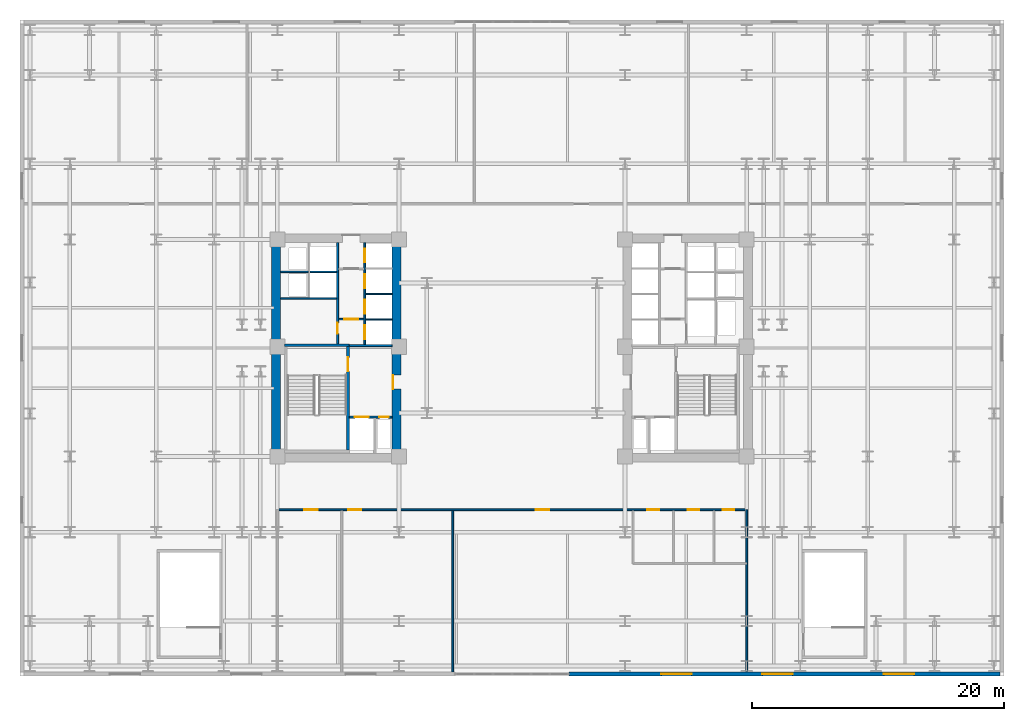
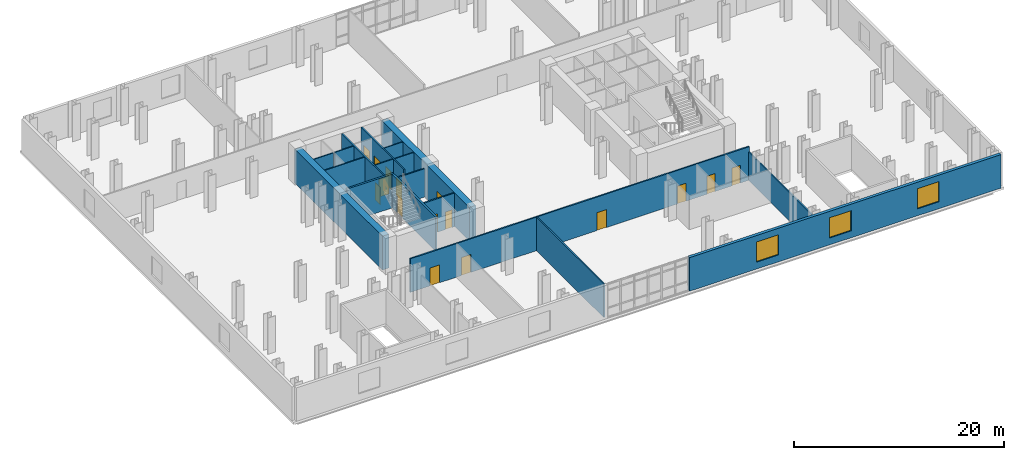
# One storey, part 8 of 13: 18 walls, 16 doors, 3 windows, 19 openings.
"""IFC4 building model written with IfcOpenShell, lengths in metres."""

from ifc_helpers import new_model, si_unit, direction, frame, frame_2d, origin, place, context, subcontext, project, spatial, rectangle, extrude, material, layer, layer_set, type_object, element, fill, save


model = new_model("IFC4")

# Units and contexts
model_context = context("Model", 3, precision=1e-05, world=origin(), true_north=direction((0.0, 1.0)))
body_context = subcontext(model_context, "Body", "Model", "MODEL_VIEW")
ifc_project = project(units=[si_unit("LENGTHUNIT", "METRE"), si_unit("AREAUNIT", "SQUARE_METRE"), si_unit("VOLUMEUNIT", "CUBIC_METRE"), si_unit("PLANEANGLEUNIT", "RADIAN"), si_unit("MASSUNIT", "GRAM", prefix="KILO")], contexts=[model_context])

# Site, building, storey
site_placement = place(None, origin())
site = spatial("IfcSite", under=ifc_project, at=site_placement, CompositionType="ELEMENT")
building_placement = place(site_placement, origin())
building = spatial("IfcBuilding", under=site, at=building_placement, Name="Velakula Bourse", CompositionType="ELEMENT")
storey_placement = place(building_placement, frame((0.0, 0.0, 22.800048828125)))
storey = spatial("IfcBuildingStorey", under=building, at=storey_placement, Name="L05", CompositionType="ELEMENT", Elevation=22.800048828125)

# Wall, opening, door
ifc_material_1 = material(Name="Concrete M50 (fck 50 MPa)", Category="concrete")
ifc_layer_1 = layer(ifc_material_1, 0.2099609375, Name="Concrete M50 (fck 50 MPa)", Category="concrete")
ifc_layer_set_1 = layer_set([ifc_layer_1], Name="Concrete M50 (fck 50 MPa)")
wall_type_1 = type_object("IfcWallType", Name="WL-CORE-210", PredefinedType="SHEAR", material=ifc_layer_set_1)
wall_1_placement = place(storey_placement, frame((-12.9951171875, -8.10009765625, 0.0), z_axis=(0.0, 0.0, 1.0), x_axis=(0.0, 1.0, 0.0)))
wall_1 = element("IfcWall", 1, at=wall_1_placement, inside=storey, type_object=wall_type_1, Name="L05 Core W Stairwell Shear Wall IN", PredefinedType="SHEAR", context=body_context, shape_type="SweptSolid", body=[
    extrude(rectangle(XDim=8.2001953125, YDim=0.2099609375, at=frame_2d((4.10009765625, 0.0))), origin(), (0.0, 0.0, 1.0), 3.919921875),
])
opening_1_placement = place(wall_1_placement, frame((6.25, 0.0, 0.0)))
opening_1 = element("IfcOpeningElement", 2, at=opening_1_placement, cuts=wall_1, Name="Opening D-STW1", PredefinedType="OPENING", context=body_context, shape_type="SweptSolid", body=[
    extrude(rectangle(XDim=1.10009765625, YDim=2.14990234375, at=frame_2d((0.550048828125, 1.074951171875))), frame((0.0, 0.114990234375, 0.0), z_axis=(0.0, -1.0, 0.0), x_axis=(1.0, 0.0, 0.0)), (0.0, 0.0, 1.0), 0.22998046875),
])
ifc_material_2 = material(Name="Galvanised painted hollow steel fire door", Category="steel")
door_type_1 = type_object("IfcDoorType", Name="DR-FD120-1100x2150", OperationType="NOTDEFINED", PredefinedType="DOOR", material=ifc_material_2)
door_1_placement = place(opening_1_placement, origin())
door_1 = element("IfcDoor", 3, at=door_1_placement, inside=storey, type_object=door_type_1, Name="L05 Stair ST-W1 Fire Door", OperationType="SINGLE_SWING_LEFT", OverallHeight=2.14990234375, OverallWidth=1.10009765625, PredefinedType="DOOR", context=body_context, shape_type="SweptSolid", body=[
    extrude(rectangle(XDim=1.10009765625, YDim=2.14990234375, at=frame_2d((0.550048828125, 1.074951171875))), frame((0.0, 0.02490234375, 0.0), z_axis=(0.0, -1.0, 0.0), x_axis=(1.0, 0.0, 0.0)), (0.0, 0.0, 1.0), 0.050048828125),
])
fill(opening_1, door_1)

# Walls
wall_2_placement = place(storey_placement, frame((-12.889892578125, 0.205078125, 0.0), z_axis=(0.0, 0.0, 1.0), x_axis=(-1.0, 0.0, 0.0)))
element("IfcWall", 4, at=wall_2_placement, inside=storey, type_object=wall_type_1, Name="L05 Core W Stairwell Shear Wall N", PredefinedType="SHEAR", context=body_context, shape_type="SweptSolid", body=[
    extrude(rectangle(XDim=5.14013671875, YDim=0.2099609375, at=frame_2d((2.570068359375, 0.0))), origin(), (0.0, 0.0, 1.0), 3.919921875),
])
ifc_material_3 = material(Name="Concrete M70 (fck 70 MPa)", Category="concrete")
ifc_layer_2 = layer(ifc_material_3, 0.699951171875, Name="Concrete M70 (fck 70 MPa)", Category="concrete")
ifc_layer_set_2 = layer_set([ifc_layer_2], Name="Concrete M70 (fck 70 MPa)")
wall_type_2 = type_object("IfcWallType", Name="WL-CORE-700", PredefinedType="SHEAR", material=ifc_layer_set_2)
wall_3_placement = place(storey_placement, frame((-18.699951171875, -8.35009765625, 0.0), z_axis=(0.0, 0.0, 1.0), x_axis=(0.0, 1.0, 0.0)))
element("IfcWall", 5, at=wall_3_placement, inside=storey, type_object=wall_type_2, Name="L05 Core W Shear Wall W", PredefinedType="SHEAR", context=body_context, shape_type="SweptSolid", body=[
    extrude(rectangle(XDim=16.7001953125, YDim=0.699951171875, at=frame_2d((8.35009765625, 0.0))), origin(), (0.0, 0.0, 1.0), 3.919921875),
])

# Wall, opening, door
wall_4_placement = place(storey_placement, frame((-9.14990234375, -8.35009765625, 0.0), z_axis=(0.0, 0.0, 1.0), x_axis=(0.0, 1.0, 0.0)))
wall_4 = element("IfcWall", 6, at=wall_4_placement, inside=storey, type_object=wall_type_2, Name="L05 Core W Shear Wall E", PredefinedType="SHEAR", context=body_context, shape_type="SweptSolid", body=[
    extrude(rectangle(XDim=16.7001953125, YDim=0.699951171875, at=frame_2d((8.35009765625, 0.0))), origin(), (0.0, 0.0, 1.0), 3.919921875),
])
opening_2_placement = place(wall_4_placement, frame((5.10009765625, 0.0, 0.0)))
opening_2 = element("IfcOpeningElement", 7, at=opening_2_placement, cuts=wall_4, Name="Opening D-FLW", PredefinedType="OPENING", context=body_context, shape_type="SweptSolid", body=[
    extrude(rectangle(XDim=1.10009765625, YDim=2.080078125, at=frame_2d((0.550048828125, 1.0400390625))), frame((0.0, 0.35986328125, 0.0), z_axis=(0.0, -1.0, 0.0), x_axis=(1.0, 0.0, 0.0)), (0.0, 0.0, 1.0), 0.719970703125),
])
door_type_2 = type_object("IfcDoorType", Name="DR-FD120-1100", OperationType="NOTDEFINED", PredefinedType="DOOR", material=ifc_material_2)
door_2_placement = place(opening_2_placement, origin())
door_2 = element("IfcDoor", 8, at=door_2_placement, inside=storey, type_object=door_type_2, Name="L05 Firefighting Lobby W Corridor Fire Door", OperationType="SINGLE_SWING_LEFT", OverallHeight=2.080078125, OverallWidth=1.10009765625, PredefinedType="DOOR", context=body_context, shape_type="SweptSolid", body=[
    extrude(rectangle(XDim=1.10009765625, YDim=2.080078125, at=frame_2d((0.550048828125, 1.0400390625))), frame((0.0, 0.30517578125, 0.0), z_axis=(0.0, -1.0, 0.0), x_axis=(1.0, 0.0, 0.0)), (0.0, 0.0, 1.0), 0.050048828125),
])
fill(opening_2, door_2)

# Wall, openings, windows
ifc_material_4 = material(Name="Red kilned clay facing brick masonry", Category="masonry")
ifc_layer_3 = layer(ifc_material_4, 0.320068359375, Name="Red kilned clay facing brick masonry", Category="masonry")
ifc_layer_set_3 = layer_set([ifc_layer_3], Name="Red kilned clay facing brick masonry")
wall_type_3 = type_object("IfcWallType", Name="WL-EXT-BRK-320", PredefinedType="STANDARD", material=ifc_layer_set_3)
wall_5_placement = place(storey_placement, frame((38.679931640625, -25.840087890625, 0.0), z_axis=(0.0, 0.0, 1.0), x_axis=(-1.0, 0.0, 0.0)))
wall_5 = element("IfcWall", 9, at=wall_5_placement, inside=storey, type_object=wall_type_3, Name="L05 South Brick Facade Wall 1", PredefinedType="STANDARD", context=body_context, shape_type="SweptSolid", body=[
    extrude(rectangle(XDim=34.179931640625, YDim=0.320068359375, at=frame_2d((17.08984375, 0.0))), origin(), (0.0, 0.0, 1.0), 3.89990234375),
])
opening_3_placement = place(wall_5_placement, frame((6.794921875, 0.0, 0.800048828125)))
opening_3 = element("IfcOpeningElement", 10, at=opening_3_placement, cuts=wall_5, Name="Opening W-06", PredefinedType="OPENING", context=body_context, shape_type="SweptSolid", body=[
    extrude(rectangle(XDim=2.39990234375, YDim=2.35009765625, at=frame_2d((1.199951171875, 1.175048828125))), frame((0.0, 0.169921875, 0.0), z_axis=(0.0, -1.0, 0.0), x_axis=(1.0, 0.0, 0.0)), (0.0, 0.0, 1.0), 0.340087890625),
])
opening_4_placement = place(wall_5_placement, frame((16.43994140625, 0.0, 0.800048828125)))
opening_4 = element("IfcOpeningElement", 11, at=opening_4_placement, cuts=wall_5, Name="Opening W-06", PredefinedType="OPENING", context=body_context, shape_type="SweptSolid", body=[
    extrude(rectangle(XDim=2.39990234375, YDim=2.35009765625, at=frame_2d((1.199951171875, 1.175048828125))), frame((0.0, 0.169921875, 0.0), z_axis=(0.0, -1.0, 0.0), x_axis=(1.0, 0.0, 0.0)), (0.0, 0.0, 1.0), 0.340087890625),
])
opening_5_placement = place(wall_5_placement, frame((24.43505859375, 0.0, 0.800048828125)))
opening_5 = element("IfcOpeningElement", 12, at=opening_5_placement, cuts=wall_5, Name="Opening W-06", PredefinedType="OPENING", context=body_context, shape_type="SweptSolid", body=[
    extrude(rectangle(XDim=2.39990234375, YDim=2.35009765625, at=frame_2d((1.199951171875, 1.175048828125))), frame((0.0, 0.169921875, 0.0), z_axis=(0.0, -1.0, 0.0), x_axis=(1.0, 0.0, 0.0)), (0.0, 0.0, 1.0), 0.340087890625),
])
ifc_material_5 = material(Name="Double-glazed solar-control Low-E glass", Category="glass")
window_type = type_object("IfcWindowType", Name="WIN-POD-2400x2600", PartitioningType="DOUBLE_PANEL_VERTICAL", PredefinedType="WINDOW", material=ifc_material_5)
window_1_placement = place(opening_3_placement, origin())
window_1 = element("IfcWindow", 13, at=window_1_placement, inside=storey, type_object=window_type, Name="L05 Deep-Set Recessed Window 1", OverallHeight=2.35009765625, OverallWidth=2.39990234375, PartitioningType="DOUBLE_PANEL_VERTICAL", PredefinedType="WINDOW", context=body_context, shape_type="SweptSolid", body=[
    extrude(rectangle(XDim=2.39990234375, YDim=2.35009765625, at=frame_2d((1.199951171875, 1.175048828125))), frame((0.0, 0.030029296875, 0.0), z_axis=(0.0, -1.0, 0.0), x_axis=(1.0, 0.0, 0.0)), (0.0, 0.0, 1.0), 0.06005859375),
])
fill(opening_3, window_1)
window_2_placement = place(opening_4_placement, origin())
window_2 = element("IfcWindow", 14, at=window_2_placement, inside=storey, type_object=window_type, Name="L05 Deep-Set Recessed Window 2", OverallHeight=2.35009765625, OverallWidth=2.39990234375, PartitioningType="DOUBLE_PANEL_VERTICAL", PredefinedType="WINDOW", context=body_context, shape_type="SweptSolid", body=[
    extrude(rectangle(XDim=2.39990234375, YDim=2.35009765625, at=frame_2d((1.199951171875, 1.175048828125))), frame((0.0, 0.030029296875, 0.0), z_axis=(0.0, -1.0, 0.0), x_axis=(1.0, 0.0, 0.0)), (0.0, 0.0, 1.0), 0.06005859375),
])
fill(opening_4, window_2)
window_3_placement = place(opening_5_placement, origin())
window_3 = element("IfcWindow", 15, at=window_3_placement, inside=storey, type_object=window_type, Name="L05 Deep-Set Recessed Window 3", OverallHeight=2.35009765625, OverallWidth=2.39990234375, PartitioningType="DOUBLE_PANEL_VERTICAL", PredefinedType="WINDOW", context=body_context, shape_type="SweptSolid", body=[
    extrude(rectangle(XDim=2.39990234375, YDim=2.35009765625, at=frame_2d((1.199951171875, 1.175048828125))), frame((0.0, 0.030029296875, 0.0), z_axis=(0.0, -1.0, 0.0), x_axis=(1.0, 0.0, 0.0)), (0.0, 0.0, 1.0), 0.06005859375),
])
fill(opening_5, window_3)

# Wall, opening, door
ifc_material_6 = material(Name="Fire-rated double-layer gypsum drywall partition", Category="gypsum")
ifc_layer_4 = layer(ifc_material_6, 0.1201171875, Name="Fire-rated double-layer gypsum drywall partition", Category="gypsum")
ifc_layer_set_4 = layer_set([ifc_layer_4], Name="Fire-rated double-layer gypsum drywall partition")
wall_type_4 = type_object("IfcWallType", Name="WL-PART-120", PredefinedType="STANDARD", material=ifc_layer_set_4)
wall_6_placement = place(storey_placement, frame((-13.75, 2.280029296875, 0.0), z_axis=(0.0, 0.0, 1.0), x_axis=(1.0, 0.0, 0.0)))
wall_6 = element("IfcWall", 16, at=wall_6_placement, inside=storey, type_object=wall_type_4, Name="L05 Interior Partition WL-CRW-L05-LL-K3A", PredefinedType="STANDARD", context=body_context, shape_type="SweptSolid", body=[
    extrude(rectangle(XDim=2.0, YDim=0.1201171875, at=frame_2d((1.0, 0.0))), origin(), (0.0, 0.0, 1.0), 3.89990234375),
])
opening_6_placement = place(wall_6_placement, frame((0.449951171875, 0.0, 0.0)))
opening_6 = element("IfcOpeningElement", 17, at=opening_6_placement, cuts=wall_6, Name="Opening D-LK3", PredefinedType="OPENING", context=body_context, shape_type="SweptSolid", body=[
    extrude(rectangle(XDim=1.10009765625, YDim=2.10009765625, at=frame_2d((0.550048828125, 1.050048828125))), frame((0.0, 0.070068359375, 0.0), z_axis=(0.0, -1.0, 0.0), x_axis=(1.0, 0.0, 0.0)), (0.0, 0.0, 1.0), 0.14013671875),
])
ifc_material_7 = material(Name="Fire-rated hardwood flush architectural door", Category="wood")
door_type_3 = type_object("IfcDoorType", Name="DR-FD60-1100x2100", OperationType="NOTDEFINED", PredefinedType="DOOR", material=ifc_material_7)
door_3_placement = place(opening_6_placement, origin())
door_3 = element("IfcDoor", 18, at=door_3_placement, inside=storey, type_object=door_type_3, Name="L05 Core W Lift Lobby Vestibule Door A", OperationType="SINGLE_SWING_RIGHT", OverallHeight=2.10009765625, OverallWidth=1.10009765625, PredefinedType="DOOR", context=body_context, shape_type="SweptSolid", body=[
    extrude(rectangle(XDim=1.10009765625, YDim=2.10009765625, at=frame_2d((0.550048828125, 1.050048828125))), frame((0.0, 0.02490234375, 0.0), z_axis=(0.0, -1.0, 0.0), x_axis=(1.0, 0.0, 0.0)), (0.0, 0.0, 1.0), 0.050048828125),
])
fill(opening_6, door_3)

# Walls
for number, where, z_axis, x_axis, name in (
    (19, (-11.60009765625, 2.2548828125, 0.0), (0.0, 0.0, 1.0), (1.0, 0.0, 0.0), "L05 Interior Partition WL-CRW-L05-BDIV-0"),
    (20, (-11.60009765625, 4.284912109375, 0.0), (0.0, 0.0, 1.0), (1.0, 0.0, 0.0), "L05 Interior Partition WL-CRW-L05-BDIV-1"),
):
    element("IfcWall", number, at=place(storey_placement, frame(where, z_axis=z_axis, x_axis=x_axis)), inside=storey, type_object=wall_type_4, Name=name, PredefinedType="STANDARD", context=body_context, shape_type="SweptSolid", body=[
        extrude(rectangle(XDim=2.10009765625, YDim=0.110107421875, at=frame_2d((1.050048828125, 0.0))), origin(), (0.0, 0.0, 1.0), 3.89990234375),
    ])
wall_7_placement = place(storey_placement, frame((-18.35009765625, 3.919921875, 0.0), z_axis=(0.0, 0.0, 1.0), x_axis=(1.0, 0.0, 0.0)))
element("IfcWall", 21, at=wall_7_placement, inside=storey, type_object=wall_type_4, Name="L05 Interior Partition WL-CRW-L05-HI-S", PredefinedType="STANDARD", context=body_context, shape_type="SweptSolid", body=[
    extrude(rectangle(XDim=4.4501953125, YDim=0.1201171875, at=frame_2d((2.22509765625, 0.0))), origin(), (0.0, 0.0, 1.0), 3.89990234375),
])
wall_8_placement = place(storey_placement, frame((-18.35009765625, 6.030029296875, 0.0), z_axis=(0.0, 0.0, 1.0), x_axis=(1.0, 0.0, 0.0)))
element("IfcWall", 22, at=wall_8_placement, inside=storey, type_object=wall_type_4, Name="L05 Interior Partition WL-CRW-L05-RIS-MID", PredefinedType="STANDARD", context=body_context, shape_type="SweptSolid", body=[
    extrude(rectangle(XDim=2.2001953125, YDim=0.1201171875, at=frame_2d((1.10009765625, 0.0))), origin(), (0.0, 0.0, 1.0), 3.89990234375),
])
wall_9_placement = place(storey_placement, frame((-16.0, 6.030029296875, 0.0), z_axis=(0.0, 0.0, 1.0), x_axis=(1.0, 0.0, 0.0)))
element("IfcWall", 23, at=wall_9_placement, inside=storey, type_object=wall_type_4, Name="L05 Interior Partition WL-CRW-L05-HI-DIV", PredefinedType="STANDARD", context=body_context, shape_type="SweptSolid", body=[
    extrude(rectangle(XDim=2.10009765625, YDim=0.1201171875, at=frame_2d((1.050048828125, 0.0))), origin(), (0.0, 0.0, 1.0), 3.89990234375),
])
ifc_layer_5 = layer(ifc_material_6, 0.139892578125, Name="Fire-rated double-layer gypsum drywall partition", Category="gypsum")
ifc_layer_set_5 = layer_set([ifc_layer_5], Name="Fire-rated double-layer gypsum drywall partition")
wall_type_5 = type_object("IfcWallType", Name="WL-PART-140", PredefinedType="STANDARD", material=ifc_layer_set_5)
wall_10_placement = place(storey_placement, frame((18.60009765625, -25.679931640625, 0.0), z_axis=(0.0, 0.0, 1.0), x_axis=(0.0, 1.0, 0.0)))
element("IfcWall", 24, at=wall_10_placement, inside=storey, type_object=wall_type_5, Name="L05 Interior Partition WL-POD-L05-SE-END", PredefinedType="STANDARD", context=body_context, shape_type="SweptSolid", body=[
    extrude(rectangle(XDim=12.85986328125, YDim=0.139892578125, at=frame_2d((6.429931640625, 0.0))), origin(), (0.0, 0.0, 1.0), 3.294921875),
])

# Wall, openings, doors
wall_11_placement = place(storey_placement, frame((-18.60009765625, -12.820068359375, 0.0), z_axis=(0.0, 0.0, 1.0), x_axis=(1.0, 0.0, 0.0)))
wall_11 = element("IfcWall", 25, at=wall_11_placement, inside=storey, type_object=wall_type_5, Name="L05 Interior Partition WL-POD-L05-S-CORR", PredefinedType="STANDARD", context=body_context, shape_type="SweptSolid", body=[
    extrude(rectangle(XDim=37.2001953125, YDim=0.14990234375, at=frame_2d((18.60009765625, 0.0))), origin(), (0.0, 0.0, 1.0), 3.89990234375),
])
opening_7_placement = place(wall_11_placement, frame((29.340087890625, 0.0, 0.0)))
opening_7 = element("IfcOpeningElement", 26, at=opening_7_placement, cuts=wall_11, Name="Opening D-WT1", PredefinedType="OPENING", context=body_context, shape_type="SweptSolid", body=[
    extrude(rectangle(XDim=0.919921875, YDim=2.080078125, at=frame_2d((0.4599609375, 1.0400390625))), frame((0.0, 0.0849609375, 0.0), z_axis=(0.0, -1.0, 0.0), x_axis=(1.0, 0.0, 0.0)), (0.0, 0.0, 1.0), 0.169921875),
])
opening_8_placement = place(wall_11_placement, frame((32.5400390625, 0.0, 0.0)))
opening_8 = element("IfcOpeningElement", 27, at=opening_8_placement, cuts=wall_11, Name="Opening D-WT1", PredefinedType="OPENING", context=body_context, shape_type="SweptSolid", body=[
    extrude(rectangle(XDim=0.919921875, YDim=2.080078125, at=frame_2d((0.4599609375, 1.0400390625))), frame((0.0, 0.0849609375, 0.0), z_axis=(0.0, -1.0, 0.0), x_axis=(1.0, 0.0, 0.0)), (0.0, 0.0, 1.0), 0.169921875),
])
opening_9_placement = place(wall_11_placement, frame((35.31396484375, 0.0, 0.0)))
opening_9 = element("IfcOpeningElement", 28, at=opening_9_placement, cuts=wall_11, Name="Opening D-WC1", PredefinedType="OPENING", context=body_context, shape_type="SweptSolid", body=[
    extrude(rectangle(XDim=0.919921875, YDim=2.080078125, at=frame_2d((0.4599609375, 1.0400390625))), frame((0.0, 0.0849609375, 0.0), z_axis=(0.0, -1.0, 0.0), x_axis=(1.0, 0.0, 0.0)), (0.0, 0.0, 1.0), 0.169921875),
])
opening_10_placement = place(wall_11_placement, frame((2.15087890625, 0.0, 0.0)))
opening_10 = element("IfcOpeningElement", 29, at=opening_10_placement, cuts=wall_11, Name="Opening D-PD2", PredefinedType="OPENING", context=body_context, shape_type="SweptSolid", body=[
    extrude(rectangle(XDim=1.050048828125, YDim=2.080078125, at=frame_2d((0.52490234375, 1.0400390625))), frame((0.0, 0.0849609375, 0.0), z_axis=(0.0, -1.0, 0.0), x_axis=(1.0, 0.0, 0.0)), (0.0, 0.0, 1.0), 0.169921875),
])
opening_11_placement = place(wall_11_placement, frame((5.60302734375, 0.0, 0.0)))
opening_11 = element("IfcOpeningElement", 30, at=opening_11_placement, cuts=wall_11, Name="Opening D-PD2", PredefinedType="OPENING", context=body_context, shape_type="SweptSolid", body=[
    extrude(rectangle(XDim=1.050048828125, YDim=2.080078125, at=frame_2d((0.52490234375, 1.0400390625))), frame((0.0, 0.0849609375, 0.0), z_axis=(0.0, -1.0, 0.0), x_axis=(1.0, 0.0, 0.0)), (0.0, 0.0, 1.0), 0.169921875),
])
opening_12_placement = place(wall_11_placement, frame((20.4951171875, 0.0, 0.0)))
opening_12 = element("IfcOpeningElement", 31, at=opening_12_placement, cuts=wall_11, Name="Opening D-PD2", PredefinedType="OPENING", context=body_context, shape_type="SweptSolid", body=[
    extrude(rectangle(XDim=1.050048828125, YDim=2.080078125, at=frame_2d((0.52490234375, 1.0400390625))), frame((0.0, 0.0849609375, 0.0), z_axis=(0.0, -1.0, 0.0), x_axis=(1.0, 0.0, 0.0)), (0.0, 0.0, 1.0), 0.169921875),
])
door_type_4 = type_object("IfcDoorType", Name="DR-OFF-1050", OperationType="NOTDEFINED", PredefinedType="DOOR", material=ifc_material_7)
door_4_placement = place(opening_10_placement, origin())
door_4 = element("IfcDoor", 32, at=door_4_placement, inside=storey, type_object=door_type_4, Name="L05 Members Private Dining Lounge Door", OperationType="SINGLE_SWING_LEFT", OverallHeight=2.080078125, OverallWidth=1.050048828125, PredefinedType="DOOR", context=body_context, shape_type="SweptSolid", body=[
    extrude(rectangle(XDim=1.050048828125, YDim=2.080078125, at=frame_2d((0.52490234375, 1.0400390625))), frame((0.0, 0.02490234375, 0.0), z_axis=(0.0, -1.0, 0.0), x_axis=(1.0, 0.0, 0.0)), (0.0, 0.0, 1.0), 0.050048828125),
])
fill(opening_10, door_4)
door_5_placement = place(opening_11_placement, origin())
door_5 = element("IfcDoor", 33, at=door_5_placement, inside=storey, type_object=door_type_4, Name="L05 Club Membership Office Door", OperationType="SINGLE_SWING_RIGHT", OverallHeight=2.080078125, OverallWidth=1.050048828125, PredefinedType="DOOR", context=body_context, shape_type="SweptSolid", body=[
    extrude(rectangle(XDim=1.050048828125, YDim=2.080078125, at=frame_2d((0.52490234375, 1.0400390625))), frame((0.0, 0.02490234375, 0.0), z_axis=(0.0, -1.0, 0.0), x_axis=(1.0, 0.0, 0.0)), (0.0, 0.0, 1.0), 0.050048828125),
])
fill(opening_11, door_5)
door_6_placement = place(opening_12_placement, origin())
door_6 = element("IfcDoor", 34, at=door_6_placement, inside=storey, type_object=door_type_4, Name="L05 Hospitality Control Office Door", OperationType="SINGLE_SWING_LEFT", OverallHeight=2.080078125, OverallWidth=1.050048828125, PredefinedType="DOOR", context=body_context, shape_type="SweptSolid", body=[
    extrude(rectangle(XDim=1.050048828125, YDim=2.080078125, at=frame_2d((0.52490234375, 1.0400390625))), frame((0.0, 0.02490234375, 0.0), z_axis=(0.0, -1.0, 0.0), x_axis=(1.0, 0.0, 0.0)), (0.0, 0.0, 1.0), 0.050048828125),
])
fill(opening_12, door_6)
door_type_5 = type_object("IfcDoorType", Name="DR-WC-950", OperationType="NOTDEFINED", PredefinedType="DOOR", material=ifc_material_7)
door_7_placement = place(opening_7_placement, origin())
door_7 = element("IfcDoor", 35, at=door_7_placement, inside=storey, type_object=door_type_5, Name="L05 Male Public Toilet Door", OperationType="SINGLE_SWING_RIGHT", OverallHeight=2.080078125, OverallWidth=0.919921875, PredefinedType="DOOR", context=body_context, shape_type="SweptSolid", body=[
    extrude(rectangle(XDim=0.919921875, YDim=2.080078125, at=frame_2d((0.4599609375, 1.0400390625))), frame((0.0, 0.02490234375, 0.0), z_axis=(0.0, -1.0, 0.0), x_axis=(1.0, 0.0, 0.0)), (0.0, 0.0, 1.0), 0.050048828125),
])
fill(opening_7, door_7)
door_8_placement = place(opening_8_placement, origin())
door_8 = element("IfcDoor", 36, at=door_8_placement, inside=storey, type_object=door_type_5, Name="L05 Female Public Toilet Door", OperationType="SINGLE_SWING_LEFT", OverallHeight=2.080078125, OverallWidth=0.919921875, PredefinedType="DOOR", context=body_context, shape_type="SweptSolid", body=[
    extrude(rectangle(XDim=0.919921875, YDim=2.080078125, at=frame_2d((0.4599609375, 1.0400390625))), frame((0.0, 0.02490234375, 0.0), z_axis=(0.0, -1.0, 0.0), x_axis=(1.0, 0.0, 0.0)), (0.0, 0.0, 1.0), 0.050048828125),
])
fill(opening_8, door_8)
door_9_placement = place(opening_9_placement, origin())
door_9 = element("IfcDoor", 37, at=door_9_placement, inside=storey, type_object=door_type_5, Name="L05 Accessible WC Door", OperationType="SINGLE_SWING_RIGHT", OverallHeight=2.080078125, OverallWidth=0.919921875, PredefinedType="DOOR", context=body_context, shape_type="SweptSolid", body=[
    extrude(rectangle(XDim=0.919921875, YDim=2.080078125, at=frame_2d((0.4599609375, 1.0400390625))), frame((0.0, 0.02490234375, 0.0), z_axis=(0.0, -1.0, 0.0), x_axis=(1.0, 0.0, 0.0)), (0.0, 0.0, 1.0), 0.050048828125),
])
fill(opening_9, door_9)

# Wall
wall_12_placement = place(storey_placement, frame((-4.699951171875, -25.679931640625, 0.0), z_axis=(0.0, 0.0, 1.0), x_axis=(0.0, 1.0, 0.0)))
element("IfcWall", 38, at=wall_12_placement, inside=storey, type_object=wall_type_5, Name="L05 Interior Partition WL-POD-L05-SD2", PredefinedType="STANDARD", context=body_context, shape_type="SweptSolid", body=[
    extrude(rectangle(XDim=12.7900390625, YDim=0.139892578125, at=frame_2d((6.39501953125, 0.0))), origin(), (0.0, 0.0, 1.0), 3.89990234375),
])

# Wall, openings, doors
ifc_material_8 = material(Name="Autoclaved aerated concrete blockwork masonry", Category="masonry")
ifc_layer_6 = layer(ifc_material_8, 0.14990234375, Name="Autoclaved aerated concrete blockwork masonry", Category="masonry")
ifc_layer_set_6 = layer_set([ifc_layer_6], Name="Autoclaved aerated concrete blockwork masonry")
wall_type_6 = type_object("IfcWallType", Name="WL-SHAFT-150", PredefinedType="STANDARD", material=ifc_layer_set_6)
wall_13_placement = place(storey_placement, frame((-12.89501953125, -5.47509765625, 0.0), z_axis=(0.0, 0.0, 1.0), x_axis=(1.0, 0.0, 0.0)))
wall_13 = element("IfcWall", 39, at=wall_13_placement, inside=storey, type_object=wall_type_6, Name="L05 Interior Partition WL-CRW-L05-FFL-N", PredefinedType="STANDARD", context=body_context, shape_type="SweptSolid", body=[
    extrude(rectangle(XDim=3.39501953125, YDim=0.14990234375, at=frame_2d((1.697509765625, 0.0))), origin(), (0.0, 0.0, 1.0), 3.89990234375),
])
opening_13_placement = place(wall_13_placement, frame((0.419921875, 0.0, 0.0)))
opening_13 = element("IfcOpeningElement", 40, at=opening_13_placement, cuts=wall_13, Name="Opening LD-FFL-1", PredefinedType="OPENING", context=body_context, shape_type="SweptSolid", body=[
    extrude(rectangle(XDim=1.10009765625, YDim=2.14990234375, at=frame_2d((0.550048828125, 1.074951171875))), frame((0.0, 0.0849609375, 0.0), z_axis=(0.0, -1.0, 0.0), x_axis=(1.0, 0.0, 0.0)), (0.0, 0.0, 1.0), 0.169921875),
])
opening_14_placement = place(wall_13_placement, frame((2.3701171875, 0.0, 0.0)))
opening_14 = element("IfcOpeningElement", 41, at=opening_14_placement, cuts=wall_13, Name="Opening D-RS1", PredefinedType="OPENING", context=body_context, shape_type="SweptSolid", body=[
    extrude(rectangle(XDim=0.75, YDim=2.050048828125, at=frame_2d((0.375, 1.02490234375))), frame((0.0, 0.0849609375, 0.0), z_axis=(0.0, -1.0, 0.0), x_axis=(1.0, 0.0, 0.0)), (0.0, 0.0, 1.0), 0.169921875),
])
door_type_6 = type_object("IfcDoorType", Name="DR-RISER-800", OperationType="NOTDEFINED", PredefinedType="DOOR", material=ifc_material_2)
door_10_placement = place(opening_14_placement, origin())
door_10 = element("IfcDoor", 42, at=door_10_placement, inside=storey, type_object=door_type_6, Name="L05 Fire Riser Access Door", OperationType="SINGLE_SWING_RIGHT", OverallHeight=2.050048828125, OverallWidth=0.75, PredefinedType="DOOR", context=body_context, shape_type="SweptSolid", body=[
    extrude(rectangle(XDim=0.75, YDim=2.050048828125, at=frame_2d((0.375, 1.02490234375))), frame((0.0, 0.02490234375, 0.0), z_axis=(0.0, -1.0, 0.0), x_axis=(1.0, 0.0, 0.0)), (0.0, 0.0, 1.0), 0.050048828125),
])
fill(opening_14, door_10)
ifc_material_9 = material(Name="Brushed grade 316 stainless steel", Category="steel")
door_type_7 = type_object("IfcDoorType", Name="DR-SLIDE-FFL-1100", OperationType="DOUBLE_DOOR_SLIDING", PredefinedType="DOOR", material=ifc_material_9)
door_11_placement = place(opening_13_placement, origin())
door_11 = element("IfcDoor", 43, at=door_11_placement, inside=storey, type_object=door_type_7, Name="L05 Firefighting Lift FFL-1 Sliding Landing Door", OperationType="DOUBLE_DOOR_SLIDING", OverallHeight=2.14990234375, OverallWidth=1.10009765625, PredefinedType="DOOR", context=body_context, shape_type="SweptSolid", body=[
    extrude(rectangle(XDim=1.10009765625, YDim=2.14990234375, at=frame_2d((0.550048828125, 1.074951171875))), frame((0.0, 0.02490234375, 0.0), z_axis=(0.0, -1.0, 0.0), x_axis=(1.0, 0.0, 0.0)), (0.0, 0.0, 1.0), 0.050048828125),
])
fill(opening_13, door_11)

# Wall
wall_14_placement = place(storey_placement, frame((-12.889892578125, 0.18994140625, 0.0), z_axis=(0.0, 0.0, 1.0), x_axis=(1.0, 0.0, 0.0)))
element("IfcWall", 44, at=wall_14_placement, inside=storey, type_object=wall_type_6, Name="L05 Interior Partition WL-CRW-L05-FF-TOP", PredefinedType="STANDARD", context=body_context, shape_type="SweptSolid", body=[
    extrude(rectangle(XDim=3.389892578125, YDim=0.14990234375, at=frame_2d((1.69482421875, 0.0))), origin(), (0.0, 0.0, 1.0), 3.294921875),
])

# Wall, openings, doors
wall_15_placement = place(storey_placement, frame((-11.675048828125, 0.27001953125, 0.0), z_axis=(0.0, 0.0, 1.0), x_axis=(0.0, 1.0, 0.0)))
wall_15 = element("IfcWall", 45, at=wall_15_placement, inside=storey, type_object=wall_type_6, Name="L05 Interior Partition WL-CRW-L05-BANK-F", PredefinedType="STANDARD", context=body_context, shape_type="SweptSolid", body=[
    extrude(rectangle(XDim=8.080078125, YDim=0.14990234375, at=frame_2d((4.0400390625, 0.0))), origin(), (0.0, 0.0, 1.0), 3.89990234375),
])
opening_15_placement = place(wall_15_placement, frame((0.419921875, 0.0, 0.0)))
opening_15 = element("IfcOpeningElement", 46, at=opening_15_placement, cuts=wall_15, Name="Opening LD-P1", PredefinedType="OPENING", context=body_context, shape_type="SweptSolid", body=[
    extrude(rectangle(XDim=1.10009765625, YDim=2.10009765625, at=frame_2d((0.550048828125, 1.050048828125))), frame((0.0, 0.0849609375, 0.0), z_axis=(0.0, -1.0, 0.0), x_axis=(1.0, 0.0, 0.0)), (0.0, 0.0, 1.0), 0.169921875),
])
opening_16_placement = place(wall_15_placement, frame((2.449951171875, 0.0, 0.0)))
opening_16 = element("IfcOpeningElement", 47, at=opening_16_placement, cuts=wall_15, Name="Opening LD-P2", PredefinedType="OPENING", context=body_context, shape_type="SweptSolid", body=[
    extrude(rectangle(XDim=1.10009765625, YDim=2.10009765625, at=frame_2d((0.550048828125, 1.050048828125))), frame((0.0, 0.0849609375, 0.0), z_axis=(0.0, -1.0, 0.0), x_axis=(1.0, 0.0, 0.0)), (0.0, 0.0, 1.0), 0.169921875),
])
opening_17_placement = place(wall_15_placement, frame((4.47998046875, 0.0, 0.0)))
opening_17 = element("IfcOpeningElement", 48, at=opening_17_placement, cuts=wall_15, Name="Opening LD-P3", PredefinedType="OPENING", context=body_context, shape_type="SweptSolid", body=[
    extrude(rectangle(XDim=1.10009765625, YDim=2.10009765625, at=frame_2d((0.550048828125, 1.050048828125))), frame((0.0, 0.0849609375, 0.0), z_axis=(0.0, -1.0, 0.0), x_axis=(1.0, 0.0, 0.0)), (0.0, 0.0, 1.0), 0.169921875),
])
opening_18_placement = place(wall_15_placement, frame((6.510009765625, 0.0, 0.0)))
opening_18 = element("IfcOpeningElement", 49, at=opening_18_placement, cuts=wall_15, Name="Opening LD-P4", PredefinedType="OPENING", context=body_context, shape_type="SweptSolid", body=[
    extrude(rectangle(XDim=1.10009765625, YDim=2.10009765625, at=frame_2d((0.550048828125, 1.050048828125))), frame((0.0, 0.0849609375, 0.0), z_axis=(0.0, -1.0, 0.0), x_axis=(1.0, 0.0, 0.0)), (0.0, 0.0, 1.0), 0.169921875),
])
door_type_8 = type_object("IfcDoorType", Name="DR-SLIDE-LD-1100", OperationType="DOUBLE_DOOR_SLIDING", PredefinedType="DOOR", material=ifc_material_9)
door_12_placement = place(opening_15_placement, origin())
door_12 = element("IfcDoor", 50, at=door_12_placement, inside=storey, type_object=door_type_8, Name="L05 Passenger Lift P1 Sliding Landing Door", OperationType="DOUBLE_DOOR_SLIDING", OverallHeight=2.10009765625, OverallWidth=1.10009765625, PredefinedType="DOOR", context=body_context, shape_type="SweptSolid", body=[
    extrude(rectangle(XDim=1.10009765625, YDim=2.10009765625, at=frame_2d((0.550048828125, 1.050048828125))), frame((0.0, 0.02490234375, 0.0), z_axis=(0.0, -1.0, 0.0), x_axis=(1.0, 0.0, 0.0)), (0.0, 0.0, 1.0), 0.050048828125),
])
fill(opening_15, door_12)
door_13_placement = place(opening_16_placement, origin())
door_13 = element("IfcDoor", 51, at=door_13_placement, inside=storey, type_object=door_type_8, Name="L05 Passenger Lift P2 Sliding Landing Door", OperationType="DOUBLE_DOOR_SLIDING", OverallHeight=2.10009765625, OverallWidth=1.10009765625, PredefinedType="DOOR", context=body_context, shape_type="SweptSolid", body=[
    extrude(rectangle(XDim=1.10009765625, YDim=2.10009765625, at=frame_2d((0.550048828125, 1.050048828125))), frame((0.0, 0.02490234375, 0.0), z_axis=(0.0, -1.0, 0.0), x_axis=(1.0, 0.0, 0.0)), (0.0, 0.0, 1.0), 0.050048828125),
])
fill(opening_16, door_13)
door_14_placement = place(opening_17_placement, origin())
door_14 = element("IfcDoor", 52, at=door_14_placement, inside=storey, type_object=door_type_8, Name="L05 Passenger Lift P3 Sliding Landing Door", OperationType="DOUBLE_DOOR_SLIDING", OverallHeight=2.10009765625, OverallWidth=1.10009765625, PredefinedType="DOOR", context=body_context, shape_type="SweptSolid", body=[
    extrude(rectangle(XDim=1.10009765625, YDim=2.10009765625, at=frame_2d((0.550048828125, 1.050048828125))), frame((0.0, 0.02490234375, 0.0), z_axis=(0.0, -1.0, 0.0), x_axis=(1.0, 0.0, 0.0)), (0.0, 0.0, 1.0), 0.050048828125),
])
fill(opening_17, door_14)
door_15_placement = place(opening_18_placement, origin())
door_15 = element("IfcDoor", 53, at=door_15_placement, inside=storey, type_object=door_type_8, Name="L05 Passenger Lift P4 Sliding Landing Door", OperationType="DOUBLE_DOOR_SLIDING", OverallHeight=2.10009765625, OverallWidth=1.10009765625, PredefinedType="DOOR", context=body_context, shape_type="SweptSolid", body=[
    extrude(rectangle(XDim=1.10009765625, YDim=2.10009765625, at=frame_2d((0.550048828125, 1.050048828125))), frame((0.0, 0.02490234375, 0.0), z_axis=(0.0, -1.0, 0.0), x_axis=(1.0, 0.0, 0.0)), (0.0, 0.0, 1.0), 0.050048828125),
])
fill(opening_18, door_15)

# Wall, opening, door
wall_16_placement = place(storey_placement, frame((-13.824951171875, 0.27001953125, 0.0), z_axis=(0.0, 0.0, 1.0), x_axis=(0.0, 1.0, 0.0)))
wall_16 = element("IfcWall", 54, at=wall_16_placement, inside=storey, type_object=wall_type_6, Name="L05 Interior Partition WL-CRW-L05-OUT-F", PredefinedType="STANDARD", context=body_context, shape_type="SweptSolid", body=[
    extrude(rectangle(XDim=8.080078125, YDim=0.14990234375, at=frame_2d((4.0400390625, 0.0))), origin(), (0.0, 0.0, 1.0), 3.89990234375),
])
opening_19_placement = place(wall_16_placement, frame((0.85009765625, 0.0, 0.0)))
opening_19 = element("IfcOpeningElement", 55, at=opening_19_placement, cuts=wall_16, Name="Opening D-CR3", PredefinedType="OPENING", context=body_context, shape_type="SweptSolid", body=[
    extrude(rectangle(XDim=0.89990234375, YDim=2.050048828125, at=frame_2d((0.449951171875, 1.02490234375))), frame((0.0, 0.0849609375, 0.0), z_axis=(0.0, -1.0, 0.0), x_axis=(1.0, 0.0, 0.0)), (0.0, 0.0, 1.0), 0.169921875),
])
door_type_9 = type_object("IfcDoorType", Name="DR-INT-900", OperationType="NOTDEFINED", PredefinedType="DOOR", material=ifc_material_7)
door_16_placement = place(opening_19_placement, origin())
door_16 = element("IfcDoor", 56, at=door_16_placement, inside=storey, type_object=door_type_9, Name="L05 Core Stationery and Mail Room Door", OperationType="SINGLE_SWING_RIGHT", OverallHeight=2.050048828125, OverallWidth=0.89990234375, PredefinedType="DOOR", context=body_context, shape_type="SweptSolid", body=[
    extrude(rectangle(XDim=0.89990234375, YDim=2.050048828125, at=frame_2d((0.449951171875, 1.02490234375))), frame((0.0, 0.02490234375, 0.0), z_axis=(0.0, -1.0, 0.0), x_axis=(1.0, 0.0, 0.0)), (0.0, 0.0, 1.0), 0.050048828125),
])
fill(opening_19, door_16)

save(model, "model.ifc")
